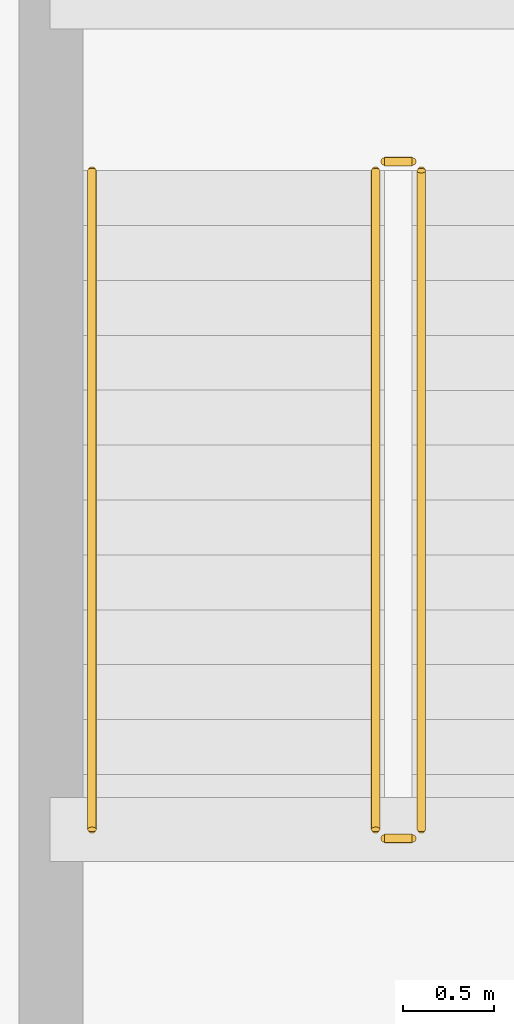
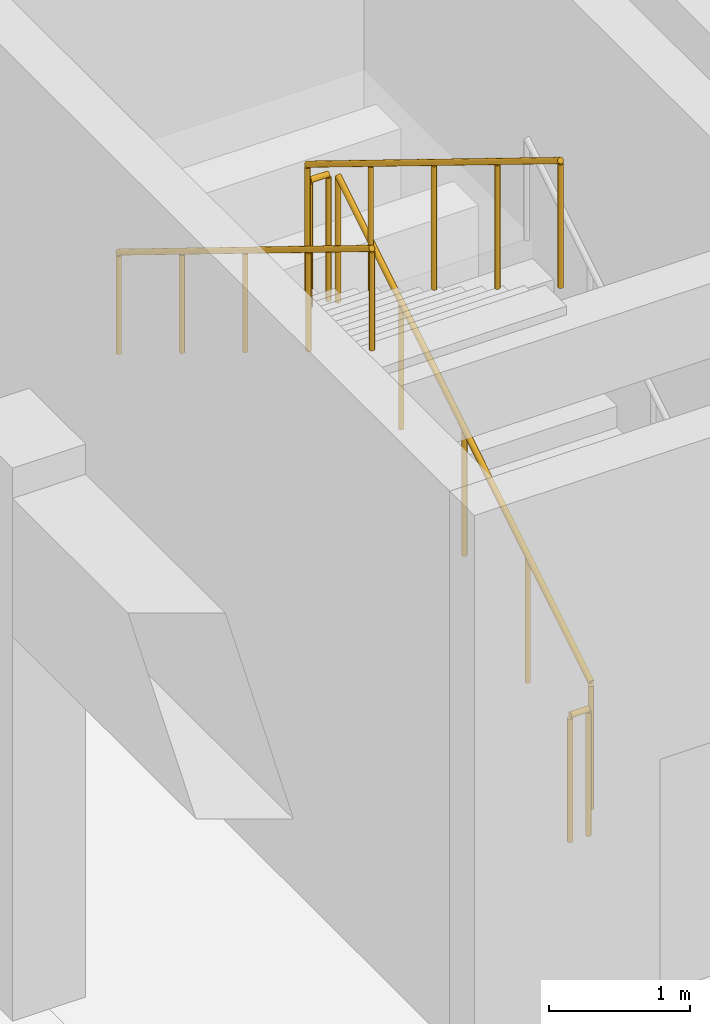
# One storey, part 115 of 122: 5 railings.
"""IFC4 building model written with IfcOpenShell, lengths in metres."""

from ifc_helpers import new_model, si_unit, direction, frame, origin, origin_2d, place, context, subcontext, project, spatial, circle, extrude, material, material_profile, profile_set, type_object, element, save


model = new_model("IFC4")

# Units and contexts
model_context = context("Model", 3, precision=1e-05, world=origin(), true_north=direction((0.0, 1.0)))
body_context = subcontext(model_context, "Body", "Model", "MODEL_VIEW")
ifc_project = project(units=[si_unit("LENGTHUNIT", "METRE"), si_unit("AREAUNIT", "SQUARE_METRE"), si_unit("VOLUMEUNIT", "CUBIC_METRE"), si_unit("PLANEANGLEUNIT", "RADIAN"), si_unit("MASSUNIT", "GRAM", prefix="KILO")], contexts=[model_context])

# Site, building, storey
site_placement = place(None, origin())
site = spatial("IfcSite", under=ifc_project, at=site_placement, CompositionType="ELEMENT")
building_placement = place(site_placement, origin())
building = spatial("IfcBuilding", under=site, at=building_placement, Name="Tazoul Stagehouse", CompositionType="ELEMENT")
storey_placement = place(building_placement, origin())
storey = spatial("IfcBuildingStorey", under=building, at=storey_placement, Name="L00", CompositionType="ELEMENT", Elevation=0.0)

# Railings
ifc_material = material(Name="Brushed Stainless Steel 316L", Category="steel")
ifc_material_profile_1 = material_profile(ifc_material, circle(Radius=0.02392578125, at=origin_2d()), Name="SS RAIL D48")
ifc_profile_set_1 = profile_set([ifc_material_profile_1], Name="Brushed Stainless Steel 316L")
railing_type_1 = type_object("IfcRailingType", Name="Architectural Guardrail H1120", PredefinedType="GUARDRAIL", material=ifc_profile_set_1)
railing_1_placement = place(storey_placement, frame((129.85009765625, 51.39990234375, 0.1845703125)))
element("IfcRailing", 1, at=railing_1_placement, inside=storey, type_object=railing_type_1, Name="L00 ST-07 stair guard 1", PredefinedType="GUARDRAIL", context=body_context, shape_type="SweptSolid", body=[
    extrude(circle(Radius=0.02392578125, at=origin_2d()), frame((0.0, 0.0, 1.09619140625), z_axis=(0.0, 0.85167021472, 0.524078090897), x_axis=(-1.0, 0.0, 0.0)), (0.0, 0.0, 1.0), 4.22705078125),
    extrude(circle(Radius=0.02099609375, at=origin_2d()), origin(), (0.0, 0.0, 1.0), 1.072021484375),
    extrude(circle(Radius=0.02099609375, at=origin_2d()), frame((0.0, 0.89990234375, 0.5537109375)), (0.0, 0.0, 1.0), 1.072021484375),
    extrude(circle(Radius=0.02099609375, at=origin_2d()), frame((0.0, 1.800048828125, 1.107666015625)), (0.0, 0.0, 1.0), 1.072021484375),
    extrude(circle(Radius=0.02099609375, at=origin_2d()), frame((0.0, 2.7001953125, 1.66162109375)), (0.0, 0.0, 1.0), 1.072021484375),
    extrude(circle(Radius=0.02099609375, at=origin_2d()), frame((0.0, 3.60009765625, 2.21533203125)), (0.0, 0.0, 1.0), 1.072021484375),
])
railing_2_placement = place(storey_placement, frame((129.800048828125, 55.050048828125, 2.39990234375)))
element("IfcRailing", 2, at=railing_2_placement, inside=storey, type_object=railing_type_1, Name="L00 ST-07 stair guard 2", PredefinedType="GUARDRAIL", context=body_context, shape_type="SweptSolid", body=[
    extrude(circle(Radius=0.02392578125, at=origin_2d()), frame((0.0, 0.0, 1.09619140625), z_axis=(-1.0, 0.0, 0.0), x_axis=(0.0, -1.0, 0.0)), (0.0, 0.0, 1.0), 0.150146484375),
    extrude(circle(Radius=0.02099609375, at=origin_2d()), origin(), (0.0, 0.0, 1.0), 1.072021484375),
    extrude(circle(Radius=0.02099609375, at=origin_2d()), frame((-0.150146484375, 0.0, 0.0)), (0.0, 0.0, 1.0), 1.072021484375),
])
railing_3_placement = place(storey_placement, frame((129.60009765625, 55.0, 2.584716796875)))
element("IfcRailing", 3, at=railing_3_placement, inside=storey, type_object=railing_type_1, Name="L00 ST-07 stair guard 3", PredefinedType="GUARDRAIL", context=body_context, shape_type="SweptSolid", body=[
    extrude(circle(Radius=0.02392578125, at=origin_2d()), frame((0.0, 0.0, 1.09619140625), z_axis=(0.0, -0.85167021472, 0.524078090897), x_axis=(1.0, 0.0, 0.0)), (0.0, 0.0, 1.0), 4.22705078125),
    extrude(circle(Radius=0.02099609375, at=origin_2d()), origin(), (0.0, 0.0, 1.0), 1.072021484375),
    extrude(circle(Radius=0.02099609375, at=origin_2d()), frame((0.0, -0.89990234375, 0.5537109375)), (0.0, 0.0, 1.0), 1.072021484375),
    extrude(circle(Radius=0.02099609375, at=origin_2d()), frame((0.0, -1.800048828125, 1.107666015625)), (0.0, 0.0, 1.0), 1.072021484375),
    extrude(circle(Radius=0.02099609375, at=origin_2d()), frame((0.0, -2.7001953125, 1.66162109375)), (0.0, 0.0, 1.0), 1.072021484375),
    extrude(circle(Radius=0.02099609375, at=origin_2d()), frame((0.0, -3.60009765625, 2.21533203125)), (0.0, 0.0, 1.0), 1.072021484375),
])
railing_4_placement = place(storey_placement, frame((129.800048828125, 51.35009765625, 0.0)))
element("IfcRailing", 4, at=railing_4_placement, inside=storey, type_object=railing_type_1, Name="L00 ST-07 stair guard 4", PredefinedType="GUARDRAIL", context=body_context, shape_type="SweptSolid", body=[
    extrude(circle(Radius=0.02392578125, at=origin_2d()), frame((0.0, 0.0, 1.09619140625), z_axis=(-1.0, 0.0, 0.0), x_axis=(0.0, -1.0, 0.0)), (0.0, 0.0, 1.0), 0.150146484375),
    extrude(circle(Radius=0.02099609375, at=origin_2d()), origin(), (0.0, 0.0, 1.0), 1.072021484375),
    extrude(circle(Radius=0.02099609375, at=origin_2d()), frame((-0.150146484375, 0.0, 0.0)), (0.0, 0.0, 1.0), 1.072021484375),
])
ifc_material_profile_2 = material_profile(ifc_material, circle(Radius=0.02099609375, at=origin_2d()), Name="SS HANDRAIL D42")
ifc_profile_set_2 = profile_set([ifc_material_profile_2], Name="Brushed Stainless Steel 316L")
railing_type_2 = type_object("IfcRailingType", Name="Continuous Stair Handrail H900", PredefinedType="HANDRAIL", material=ifc_profile_set_2)
railing_5_placement = place(storey_placement, frame((128.050048828125, 55.0, 2.584716796875)))
element("IfcRailing", 5, at=railing_5_placement, inside=storey, type_object=railing_type_2, Name="L00 ST-07 stair handrail 2", PredefinedType="HANDRAIL", context=body_context, shape_type="SweptSolid", body=[
    extrude(circle(Radius=0.02392578125, at=origin_2d()), frame((0.0, 0.0, 0.8759765625), z_axis=(0.0, -0.85167021472, 0.524078090897), x_axis=(1.0, 0.0, 0.0)), (0.0, 0.0, 1.0), 4.22705078125),
    extrude(circle(Radius=0.02099609375, at=origin_2d()), origin(), (0.0, 0.0, 1.0), 0.851806640625),
    extrude(circle(Radius=0.02099609375, at=origin_2d()), frame((0.0, -0.89990234375, 0.5537109375)), (0.0, 0.0, 1.0), 0.851806640625),
    extrude(circle(Radius=0.02099609375, at=origin_2d()), frame((0.0, -1.800048828125, 1.107666015625)), (0.0, 0.0, 1.0), 0.851806640625),
    extrude(circle(Radius=0.02099609375, at=origin_2d()), frame((0.0, -2.7001953125, 1.66162109375)), (0.0, 0.0, 1.0), 0.851806640625),
    extrude(circle(Radius=0.02099609375, at=origin_2d()), frame((0.0, -3.60009765625, 2.21533203125)), (0.0, 0.0, 1.0), 0.851806640625),
])

save(model, "model.ifc")
